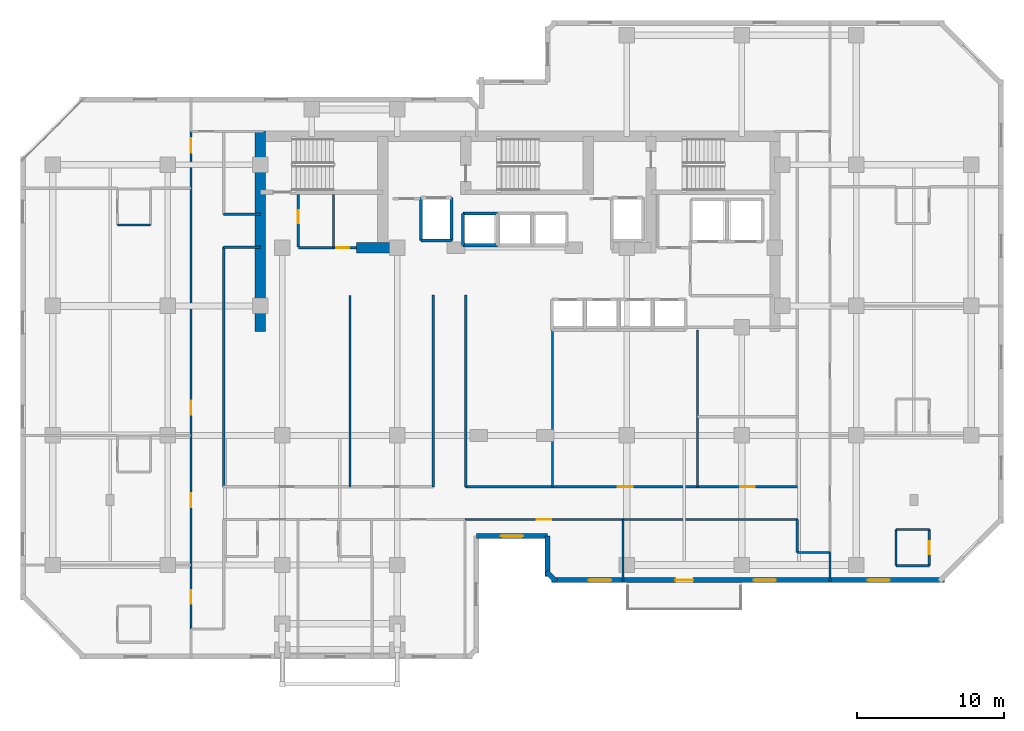
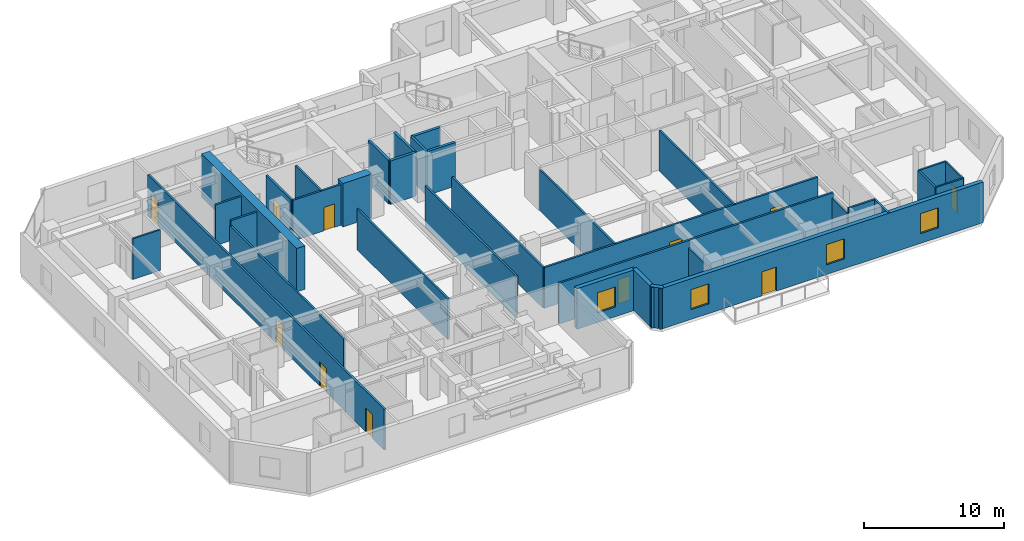
# One storey, part 6 of 11: 35 walls, 11 doors, 4 windows, 15 openings.
"""IFC4 building model written with IfcOpenShell, lengths in metres."""

from ifc_helpers import new_model, si_unit, direction, frame, frame_2d, origin, place, context, subcontext, project, spatial, rectangle, extrude, material, layer, layer_set, type_object, element, fill, save


model = new_model("IFC4")

# Units and contexts
model_context = context("Model", 3, precision=1e-05, world=origin(), true_north=direction((0.0, 1.0)))
body_context = subcontext(model_context, "Body", "Model", "MODEL_VIEW")
ifc_project = project(units=[si_unit("LENGTHUNIT", "METRE"), si_unit("AREAUNIT", "SQUARE_METRE"), si_unit("VOLUMEUNIT", "CUBIC_METRE"), si_unit("PLANEANGLEUNIT", "RADIAN"), si_unit("MASSUNIT", "GRAM", prefix="KILO")], contexts=[model_context])

# Site, building, storey
site_placement = place(None, origin())
site = spatial("IfcSite", under=ifc_project, at=site_placement, CompositionType="ELEMENT")
building_placement = place(site_placement, origin())
building = spatial("IfcBuilding", under=site, at=building_placement, Name="Kestravale Grand Hotel", CompositionType="ELEMENT")
storey_placement = place(building_placement, frame((0.0, 0.0, 161.199951171875)))
storey = spatial("IfcBuildingStorey", under=building, at=storey_placement, Name="L40", CompositionType="ELEMENT", Elevation=161.199951171875)

# Walls
ifc_material_1 = material(Name="Concrete f'c 60 MPa", Category="concrete")
ifc_layer_1 = layer(ifc_material_1, 0.699951171875)
ifc_layer_set_1 = layer_set([ifc_layer_1], Name="EW-CORE-700")
wall_type_1 = type_object("IfcWallType", Name="EW-CORE-700", PredefinedType="SHEAR", material=ifc_layer_set_1)
wall_1_placement = place(storey_placement, frame((21.89990234375, 27.050048828125, 0.0), z_axis=(0.0, 0.0, 1.0), x_axis=(0.0, 1.0, 0.0)))
element("IfcWall", 1, at=wall_1_placement, inside=storey, type_object=wall_type_1, Name="L40 core shear wall W1", PredefinedType="SHEAR", context=body_context, shape_type="SweptSolid", body=[
    extrude(rectangle(XDim=13.619873046875, YDim=0.699951171875, at=frame_2d((6.81005859375, 0.0))), origin(), (0.0, 0.0, 1.0), 3.800048828125),
])
wall_2_placement = place(storey_placement, frame((28.449951171875, 32.75, 0.0), z_axis=(0.0, 0.0, 1.0), x_axis=(1.0, 0.0, 0.0)))
element("IfcWall", 2, at=wall_2_placement, inside=storey, type_object=wall_type_1, Name="L40 core shear wall S1", PredefinedType="SHEAR", context=body_context, shape_type="SweptSolid", body=[
    extrude(rectangle(XDim=2.400146484375, YDim=0.699951171875, at=frame_2d((1.2001953125, 0.0))), origin(), (0.0, 0.0, 1.0), 3.800048828125),
])

# Wall, opening, window
ifc_material_2 = material(Name="Precast concrete f'c 45 MPa", Category="concrete")
ifc_layer_2 = layer(ifc_material_2, 0.340087890625)
ifc_layer_set_2 = layer_set([ifc_layer_2], Name="EW-PREC-340")
wall_type_2 = type_object("IfcWallType", Name="EW-PREC-340", PredefinedType="SOLIDWALL", material=ifc_layer_set_2)
wall_3_placement = place(storey_placement, frame((36.580078125, 13.169921875, 0.0), z_axis=(0.0, 0.0, 1.0), x_axis=(1.0, 0.0, 0.0)))
wall_3 = element("IfcWall", 3, at=wall_3_placement, inside=storey, type_object=wall_type_2, Name="L40 fluted precast facade wall 4", PredefinedType="SOLIDWALL", context=body_context, shape_type="SweptSolid", body=[
    extrude(rectangle(XDim=4.83984375, YDim=0.340087890625, at=frame_2d((2.419921875, 0.0))), origin(), (0.0, 0.0, 1.0), 3.550048828125),
])
opening_1_placement = place(wall_3_placement, frame((1.669921875, 0.0, 0.85009765625)))
opening_1 = element("IfcOpeningElement", 4, at=opening_1_placement, cuts=wall_3, Name="Opening W-GUEST-1500", PredefinedType="OPENING", context=body_context, shape_type="SweptSolid", body=[
    extrude(rectangle(XDim=1.5, YDim=1.75, at=frame_2d((0.75, 0.875))), frame((0.0, 0.179931640625, 0.0), z_axis=(0.0, -1.0, 0.0), x_axis=(1.0, 0.0, 0.0)), (0.0, 0.0, 1.0), 0.360107421875),
])
ifc_material_3 = material(Name="Insulated low-E double glazing in aluminium frame", Category="aluminium")
window_type = type_object("IfcWindowType", Name="W-GUEST-1500", PartitioningType="SINGLE_PANEL", PredefinedType="WINDOW", material=ifc_material_3)
window_1_placement = place(opening_1_placement, origin())
window_1 = element("IfcWindow", 5, at=window_1_placement, inside=storey, type_object=window_type, Name="L40 exterior window 4.1", OverallHeight=1.75, OverallWidth=1.5, PartitioningType="SINGLE_PANEL", PredefinedType="WINDOW", context=body_context, shape_type="SweptSolid", body=[
    extrude(rectangle(XDim=1.5, YDim=1.75, at=frame_2d((0.75, 0.875))), frame((0.0, 0.030029296875, 0.0), z_axis=(0.0, -1.0, 0.0), x_axis=(1.0, 0.0, 0.0)), (0.0, 0.0, 1.0), 0.06005859375),
])
fill(opening_1, window_1)

# Walls
wall_4_placement = place(storey_placement, frame((41.419921875, 13.169921875, 0.0), z_axis=(0.0, 0.0, 1.0), x_axis=(0.0, -1.0, 0.0)))
element("IfcWall", 6, at=wall_4_placement, inside=storey, type_object=wall_type_2, Name="L40 fluted precast facade wall 5", PredefinedType="SOLIDWALL", context=body_context, shape_type="SweptSolid", body=[
    extrude(rectangle(XDim=2.739990234375, YDim=0.340087890625, at=frame_2d((1.3701171875, 0.0))), origin(), (0.0, 0.0, 1.0), 3.550048828125),
])
wall_5_placement = place(storey_placement, frame((41.341796875, 10.74853515625, 0.0), z_axis=(0.0, 0.0, 1.0), x_axis=(0.707106781187, -0.707106781187, 0.0)))
element("IfcWall", 7, at=wall_5_placement, inside=storey, type_object=wall_type_2, Name="L40 fluted precast facade wall 6", PredefinedType="SOLIDWALL", context=body_context, shape_type="SweptSolid", body=[
    extrude(rectangle(XDim=0.9287109375, YDim=0.340087890625, at=frame_2d((0.46435546875, 0.0))), origin(), (0.0, 0.0, 1.0), 3.550048828125),
])

# Wall, openings, door, windows
wall_6_placement = place(storey_placement, frame((41.679931640625, 10.169921875, 0.0), z_axis=(0.0, 0.0, 1.0), x_axis=(1.0, 0.0, 0.0)))
wall_6 = element("IfcWall", 8, at=wall_6_placement, inside=storey, type_object=wall_type_2, Name="L40 fluted precast facade wall 7", PredefinedType="SOLIDWALL", context=body_context, shape_type="SweptSolid", body=[
    extrude(rectangle(XDim=26.690185546875, YDim=0.340087890625, at=frame_2d((13.34521484375, 0.0))), origin(), (0.0, 0.0, 1.0), 3.550048828125),
])
opening_2_placement = place(wall_6_placement, frame((2.54833984375, 0.0, 0.85009765625)))
opening_2 = element("IfcOpeningElement", 9, at=opening_2_placement, cuts=wall_6, Name="Opening W-GUEST-1500", PredefinedType="OPENING", context=body_context, shape_type="SweptSolid", body=[
    extrude(rectangle(XDim=1.5, YDim=1.75, at=frame_2d((0.75, 0.875))), frame((0.0, 0.179931640625, 0.0), z_axis=(0.0, -1.0, 0.0), x_axis=(1.0, 0.0, 0.0)), (0.0, 0.0, 1.0), 0.360107421875),
])
opening_3_placement = place(wall_6_placement, frame((13.7451171875, 0.0, 0.85009765625)))
opening_3 = element("IfcOpeningElement", 10, at=opening_3_placement, cuts=wall_6, Name="Opening W-GUEST-1500", PredefinedType="OPENING", context=body_context, shape_type="SweptSolid", body=[
    extrude(rectangle(XDim=1.5, YDim=1.75, at=frame_2d((0.75, 0.875))), frame((0.0, 0.179931640625, 0.0), z_axis=(0.0, -1.0, 0.0), x_axis=(1.0, 0.0, 0.0)), (0.0, 0.0, 1.0), 0.360107421875),
])
opening_4_placement = place(wall_6_placement, frame((21.49169921875, 0.0, 0.85009765625)))
opening_4 = element("IfcOpeningElement", 11, at=opening_4_placement, cuts=wall_6, Name="Opening W-GUEST-1500", PredefinedType="OPENING", context=body_context, shape_type="SweptSolid", body=[
    extrude(rectangle(XDim=1.5, YDim=1.75, at=frame_2d((0.75, 0.875))), frame((0.0, 0.179931640625, 0.0), z_axis=(0.0, -1.0, 0.0), x_axis=(1.0, 0.0, 0.0)), (0.0, 0.0, 1.0), 0.360107421875),
])
opening_5_placement = place(wall_6_placement, frame((8.419921875, 0.0, 0.0)))
opening_5 = element("IfcOpeningElement", 12, at=opening_5_placement, cuts=wall_6, Name="Opening D-TERR-1200", PredefinedType="OPENING", context=body_context, shape_type="SweptSolid", body=[
    extrude(rectangle(XDim=1.199951171875, YDim=2.10009765625, at=frame_2d((0.60009765625, 1.050048828125))), frame((0.0, 0.179931640625, 0.0), z_axis=(0.0, -1.0, 0.0), x_axis=(1.0, 0.0, 0.0)), (0.0, 0.0, 1.0), 0.360107421875),
])
ifc_material_4 = material(Name="Insulated glazed champagne-bronze aluminium door", Category="aluminium")
door_type_1 = type_object("IfcDoorType", Name="D-TERR-1200", OperationType="NOTDEFINED", PredefinedType="DOOR", material=ifc_material_4)
door_1_placement = place(opening_5_placement, origin())
door_1 = element("IfcDoor", 13, at=door_1_placement, inside=storey, type_object=door_type_1, Name="L40 terrace access door", OperationType="SINGLE_SWING_LEFT", OverallHeight=2.10009765625, OverallWidth=1.199951171875, PredefinedType="DOOR", context=body_context, shape_type="SweptSolid", body=[
    extrude(rectangle(XDim=1.199951171875, YDim=2.10009765625, at=frame_2d((0.60009765625, 1.050048828125))), frame((0.0, 0.02490234375, 0.0), z_axis=(0.0, -1.0, 0.0), x_axis=(1.0, 0.0, 0.0)), (0.0, 0.0, 1.0), 0.050048828125),
])
fill(opening_5, door_1)
window_2_placement = place(opening_2_placement, origin())
window_2 = element("IfcWindow", 14, at=window_2_placement, inside=storey, type_object=window_type, Name="L40 exterior window 7.1", OverallHeight=1.75, OverallWidth=1.5, PartitioningType="SINGLE_PANEL", PredefinedType="WINDOW", context=body_context, shape_type="SweptSolid", body=[
    extrude(rectangle(XDim=1.5, YDim=1.75, at=frame_2d((0.75, 0.875))), frame((0.0, 0.030029296875, 0.0), z_axis=(0.0, -1.0, 0.0), x_axis=(1.0, 0.0, 0.0)), (0.0, 0.0, 1.0), 0.06005859375),
])
fill(opening_2, window_2)
window_3_placement = place(opening_3_placement, origin())
window_3 = element("IfcWindow", 15, at=window_3_placement, inside=storey, type_object=window_type, Name="L40 exterior window 7.2", OverallHeight=1.75, OverallWidth=1.5, PartitioningType="SINGLE_PANEL", PredefinedType="WINDOW", context=body_context, shape_type="SweptSolid", body=[
    extrude(rectangle(XDim=1.5, YDim=1.75, at=frame_2d((0.75, 0.875))), frame((0.0, 0.030029296875, 0.0), z_axis=(0.0, -1.0, 0.0), x_axis=(1.0, 0.0, 0.0)), (0.0, 0.0, 1.0), 0.06005859375),
])
fill(opening_3, window_3)
window_4_placement = place(opening_4_placement, origin())
window_4 = element("IfcWindow", 16, at=window_4_placement, inside=storey, type_object=window_type, Name="L40 exterior window 7.3", OverallHeight=1.75, OverallWidth=1.5, PartitioningType="SINGLE_PANEL", PredefinedType="WINDOW", context=body_context, shape_type="SweptSolid", body=[
    extrude(rectangle(XDim=1.5, YDim=1.75, at=frame_2d((0.75, 0.875))), frame((0.0, 0.030029296875, 0.0), z_axis=(0.0, -1.0, 0.0), x_axis=(1.0, 0.0, 0.0)), (0.0, 0.0, 1.0), 0.06005859375),
])
fill(opening_4, window_4)

# Wall, opening, door
ifc_material_5 = material(Name="Acoustic fire-rated gypsum board partition", Category="other")
ifc_layer_3 = layer(ifc_material_5, 0.159912109375)
ifc_layer_set_3 = layer_set([ifc_layer_3], Name="IW-CORR-160")
wall_type_3 = type_object("IfcWallType", Name="IW-CORR-160", PredefinedType="PARTITIONING", material=ifc_layer_set_3)
wall_7_placement = place(storey_placement, frame((24.47998046875, 32.800048828125, 0.0), z_axis=(0.0, 0.0, 1.0), x_axis=(0.0, 1.0, 0.0)))
wall_7 = element("IfcWall", 17, at=wall_7_placement, inside=storey, type_object=wall_type_3, Name="L40 west core vestibule wall", PredefinedType="PARTITIONING", context=body_context, shape_type="SweptSolid", body=[
    extrude(rectangle(XDim=3.570068359375, YDim=0.159912109375, at=frame_2d((1.78515625, 0.0))), origin(), (0.0, 0.0, 1.0), 3.550048828125),
])
opening_6_placement = place(wall_7_placement, frame((1.603515625, 0.0, 0.0)))
opening_6 = element("IfcOpeningElement", 18, at=opening_6_placement, cuts=wall_7, Name="Opening D-SH-900", PredefinedType="OPENING", context=body_context, shape_type="SweptSolid", body=[
    extrude(rectangle(XDim=0.89990234375, YDim=2.10009765625, at=frame_2d((0.449951171875, 1.050048828125))), frame((0.0, 0.08984375, 0.0), z_axis=(0.0, -1.0, 0.0), x_axis=(1.0, 0.0, 0.0)), (0.0, 0.0, 1.0), 0.179931640625),
])
ifc_material_6 = material(Name="Galvanised 90-minute shaft and service fire door", Category="steel")
door_type_2 = type_object("IfcDoorType", Name="D-SH-900", OperationType="NOTDEFINED", PredefinedType="DOOR", material=ifc_material_6)
door_2_placement = place(opening_6_placement, origin())
door_2 = element("IfcDoor", 19, at=door_2_placement, inside=storey, type_object=door_type_2, Name="D-L40-HK", OperationType="SINGLE_SWING_RIGHT", OverallHeight=2.10009765625, OverallWidth=0.89990234375, PredefinedType="DOOR", context=body_context, shape_type="SweptSolid", body=[
    extrude(rectangle(XDim=0.89990234375, YDim=2.10009765625, at=frame_2d((0.449951171875, 1.050048828125))), frame((0.0, 0.02490234375, 0.0), z_axis=(0.0, -1.0, 0.0), x_axis=(1.0, 0.0, 0.0)), (0.0, 0.0, 1.0), 0.050048828125),
])
fill(opening_6, door_2)

wall_8_placement = place(storey_placement, frame((24.47998046875, 32.75, 0.0), z_axis=(0.0, 0.0, 1.0), x_axis=(1.0, 0.0, 0.0)))
wall_8 = element("IfcWall", 20, at=wall_8_placement, inside=storey, type_object=wall_type_3, Name="W-L40-CWS", PredefinedType="PARTITIONING", context=body_context, shape_type="SweptSolid", body=[
    extrude(rectangle(XDim=3.969970703125, YDim=0.159912109375, at=frame_2d((1.98486328125, 0.0))), origin(), (0.0, 0.0, 1.0), 3.550048828125),
])
opening_7_placement = place(wall_8_placement, frame((2.574951171875, 0.0, 0.0)))
opening_7 = element("IfcOpeningElement", 21, at=opening_7_placement, cuts=wall_8, Name="Opening D-BATH-880", PredefinedType="OPENING", context=body_context, shape_type="SweptSolid", body=[
    extrude(rectangle(XDim=0.8798828125, YDim=2.050048828125, at=frame_2d((0.43994140625, 1.02490234375))), frame((0.0, 0.08984375, 0.0), z_axis=(0.0, -1.0, 0.0), x_axis=(1.0, 0.0, 0.0)), (0.0, 0.0, 1.0), 0.179931640625),
])
ifc_material_7 = material(Name="Moisture-sealed walnut en-suite bathroom door", Category="wood")
door_type_3 = type_object("IfcDoorType", Name="D-BATH-880", OperationType="NOTDEFINED", PredefinedType="DOOR", material=ifc_material_7)
door_3_placement = place(opening_7_placement, origin())
door_3 = element("IfcDoor", 22, at=door_3_placement, inside=storey, type_object=door_type_3, Name="D-L40-SWC", OperationType="SINGLE_SWING_RIGHT", OverallHeight=2.050048828125, OverallWidth=0.8798828125, PredefinedType="DOOR", context=body_context, shape_type="SweptSolid", body=[
    extrude(rectangle(XDim=0.8798828125, YDim=2.050048828125, at=frame_2d((0.43994140625, 1.02490234375))), frame((0.0, 0.02490234375, 0.0), z_axis=(0.0, -1.0, 0.0), x_axis=(1.0, 0.0, 0.0)), (0.0, 0.0, 1.0), 0.050048828125),
])
fill(opening_7, door_3)

# Wall, openings, doors
wall_9_placement = place(storey_placement, frame((35.85009765625, 16.510009765625, 0.0), z_axis=(0.0, 0.0, 1.0), x_axis=(1.0, 0.0, 0.0)))
wall_9 = element("IfcWall", 23, at=wall_9_placement, inside=storey, type_object=wall_type_3, Name="W-L40-CE-N", PredefinedType="PARTITIONING", context=body_context, shape_type="SweptSolid", body=[
    extrude(rectangle(XDim=22.599853515625, YDim=0.159912109375, at=frame_2d((11.2998046875, 0.0))), origin(), (0.0, 0.0, 1.0), 3.550048828125),
])
opening_8_placement = place(wall_9_placement, frame((10.35009765625, 0.0, 0.0)))
opening_8 = element("IfcOpeningElement", 24, at=opening_8_placement, cuts=wall_9, Name="Opening D-GUEST-1000", PredefinedType="OPENING", context=body_context, shape_type="SweptSolid", body=[
    extrude(rectangle(XDim=1.0, YDim=2.14990234375, at=frame_2d((0.5, 1.074951171875))), frame((0.0, 0.08984375, 0.0), z_axis=(0.0, -1.0, 0.0), x_axis=(1.0, 0.0, 0.0)), (0.0, 0.0, 1.0), 0.179931640625),
])
opening_9_placement = place(wall_9_placement, frame((18.64990234375, 0.0, 0.0)))
opening_9 = element("IfcOpeningElement", 25, at=opening_9_placement, cuts=wall_9, Name="Opening D-GUEST-1000", PredefinedType="OPENING", context=body_context, shape_type="SweptSolid", body=[
    extrude(rectangle(XDim=1.0, YDim=2.14990234375, at=frame_2d((0.5, 1.074951171875))), frame((0.0, 0.08984375, 0.0), z_axis=(0.0, -1.0, 0.0), x_axis=(1.0, 0.0, 0.0)), (0.0, 0.0, 1.0), 0.179931640625),
])
ifc_material_8 = material(Name="Accessible walnut veneer hotel entrance fire door", Category="wood")
door_type_4 = type_object("IfcDoorType", Name="D-GUEST-1000", OperationType="NOTDEFINED", PredefinedType="DOOR", material=ifc_material_8)
door_4_placement = place(opening_8_placement, origin())
door_4 = element("IfcDoor", 26, at=door_4_placement, inside=storey, type_object=door_type_4, Name="D-L40-RECL-E1", OperationType="SINGLE_SWING_LEFT", OverallHeight=2.14990234375, OverallWidth=1.0, PredefinedType="DOOR", context=body_context, shape_type="SweptSolid", body=[
    extrude(rectangle(XDim=1.0, YDim=2.14990234375, at=frame_2d((0.5, 1.074951171875))), frame((0.0, 0.02490234375, 0.0), z_axis=(0.0, -1.0, 0.0), x_axis=(1.0, 0.0, 0.0)), (0.0, 0.0, 1.0), 0.050048828125),
])
fill(opening_8, door_4)
door_5_placement = place(opening_9_placement, origin())
door_5 = element("IfcDoor", 27, at=door_5_placement, inside=storey, type_object=door_type_4, Name="D-L40-RECL-E2", OperationType="SINGLE_SWING_RIGHT", OverallHeight=2.14990234375, OverallWidth=1.0, PredefinedType="DOOR", context=body_context, shape_type="SweptSolid", body=[
    extrude(rectangle(XDim=1.0, YDim=2.14990234375, at=frame_2d((0.5, 1.074951171875))), frame((0.0, 0.02490234375, 0.0), z_axis=(0.0, -1.0, 0.0), x_axis=(1.0, 0.0, 0.0)), (0.0, 0.0, 1.0), 0.050048828125),
])
fill(opening_9, door_5)

# Walls
for number, where, z_axis, x_axis, name in (
    (28, (33.64990234375, 16.510009765625, 0.0), (0.0, 0.0, 1.0), (0.0, 1.0, 0.0), "W-L40-TRUNK-W"),
    (29, (35.85009765625, 16.510009765625, 0.0), (0.0, 0.0, 1.0), (0.0, 1.0, 0.0), "W-L40-TRUNK-E"),
):
    element("IfcWall", number, at=place(storey_placement, frame(where, z_axis=z_axis, x_axis=x_axis)), inside=storey, type_object=wall_type_3, Name=name, PredefinedType="PARTITIONING", context=body_context, shape_type="SweptSolid", body=[
        extrude(rectangle(XDim=13.0400390625, YDim=0.159912109375, at=frame_2d((6.52001953125, 0.0))), origin(), (0.0, 0.0, 1.0), 3.550048828125),
    ])

# Wall, opening, door
wall_10_placement = place(storey_placement, frame((35.800048828125, 14.2900390625, 0.0), z_axis=(0.0, 0.0, 1.0), x_axis=(1.0, 0.0, 0.0)))
wall_10 = element("IfcWall", 30, at=wall_10_placement, inside=storey, type_object=wall_type_3, Name="W-L40-CE-S", PredefinedType="PARTITIONING", context=body_context, shape_type="SweptSolid", body=[
    extrude(rectangle(XDim=22.64990234375, YDim=0.159912109375, at=frame_2d((11.324951171875, 0.0))), origin(), (0.0, 0.0, 1.0), 3.550048828125),
])
opening_10_placement = place(wall_10_placement, frame((4.87255859375, 0.0, 0.0)))
opening_10 = element("IfcOpeningElement", 31, at=opening_10_placement, cuts=wall_10, Name="Opening D-GUEST-1000", PredefinedType="OPENING", context=body_context, shape_type="SweptSolid", body=[
    extrude(rectangle(XDim=1.0, YDim=2.14990234375, at=frame_2d((0.5, 1.074951171875))), frame((0.0, 0.08984375, 0.0), z_axis=(0.0, -1.0, 0.0), x_axis=(1.0, 0.0, 0.0)), (0.0, 0.0, 1.0), 0.179931640625),
])
door_6_placement = place(opening_10_placement, origin())
door_6 = element("IfcDoor", 32, at=door_6_placement, inside=storey, type_object=door_type_4, Name="D-L40-AME", OperationType="SINGLE_SWING_RIGHT", OverallHeight=2.14990234375, OverallWidth=1.0, PredefinedType="DOOR", context=body_context, shape_type="SweptSolid", body=[
    extrude(rectangle(XDim=1.0, YDim=2.14990234375, at=frame_2d((0.5, 1.074951171875))), frame((0.0, 0.02490234375, 0.0), z_axis=(0.0, -1.0, 0.0), x_axis=(1.0, 0.0, 0.0)), (0.0, 0.0, 1.0), 0.050048828125),
])
fill(opening_10, door_6)

# Wall, openings, doors
wall_11_placement = place(storey_placement, frame((17.18994140625, 6.85009765625, 0.0), z_axis=(0.0, 0.0, 1.0), x_axis=(0.0, 1.0, 0.0)))
wall_11 = element("IfcWall", 33, at=wall_11_placement, inside=storey, type_object=wall_type_3, Name="W-L40-SW-W", PredefinedType="PARTITIONING", context=body_context, shape_type="SweptSolid", body=[
    extrude(rectangle(XDim=33.7998046875, YDim=0.159912109375, at=frame_2d((16.89990234375, 0.0))), origin(), (0.0, 0.0, 1.0), 3.550048828125),
])
opening_11_placement = place(wall_11_placement, frame((1.699951171875, 0.0, 0.0)))
opening_11 = element("IfcOpeningElement", 34, at=opening_11_placement, cuts=wall_11, Name="Opening D-GUEST-950", PredefinedType="OPENING", context=body_context, shape_type="SweptSolid", body=[
    extrude(rectangle(XDim=0.949951171875, YDim=2.10009765625, at=frame_2d((0.47509765625, 1.050048828125))), frame((0.0, 0.08984375, 0.0), z_axis=(0.0, -1.0, 0.0), x_axis=(1.0, 0.0, 0.0)), (0.0, 0.0, 1.0), 0.179931640625),
])
opening_12_placement = place(wall_11_placement, frame((8.27490234375, 0.0, 0.0)))
opening_12 = element("IfcOpeningElement", 35, at=opening_12_placement, cuts=wall_11, Name="Opening D-GUEST-950", PredefinedType="OPENING", context=body_context, shape_type="SweptSolid", body=[
    extrude(rectangle(XDim=0.949951171875, YDim=2.10009765625, at=frame_2d((0.47509765625, 1.050048828125))), frame((0.0, 0.08984375, 0.0), z_axis=(0.0, -1.0, 0.0), x_axis=(1.0, 0.0, 0.0)), (0.0, 0.0, 1.0), 0.179931640625),
])
opening_13_placement = place(wall_11_placement, frame((14.543212890625, 0.0, 0.0)))
opening_13 = element("IfcOpeningElement", 36, at=opening_13_placement, cuts=wall_11, Name="Opening D-GUEST-950", PredefinedType="OPENING", context=body_context, shape_type="SweptSolid", body=[
    extrude(rectangle(XDim=0.949951171875, YDim=2.10009765625, at=frame_2d((0.47509765625, 1.050048828125))), frame((0.0, 0.08984375, 0.0), z_axis=(0.0, -1.0, 0.0), x_axis=(1.0, 0.0, 0.0)), (0.0, 0.0, 1.0), 0.179931640625),
])
opening_14_placement = place(wall_11_placement, frame((32.360107421875, 0.0, 0.0)))
opening_14 = element("IfcOpeningElement", 37, at=opening_14_placement, cuts=wall_11, Name="Opening D-GUEST-1000", PredefinedType="OPENING", context=body_context, shape_type="SweptSolid", body=[
    extrude(rectangle(XDim=1.0, YDim=2.14990234375, at=frame_2d((0.5, 1.074951171875))), frame((0.0, 0.08984375, 0.0), z_axis=(0.0, -1.0, 0.0), x_axis=(1.0, 0.0, 0.0)), (0.0, 0.0, 1.0), 0.179931640625),
])
door_7_placement = place(opening_14_placement, origin())
door_7 = element("IfcDoor", 38, at=door_7_placement, inside=storey, type_object=door_type_4, Name="D-L40-AMWW", OperationType="SINGLE_SWING_LEFT", OverallHeight=2.14990234375, OverallWidth=1.0, PredefinedType="DOOR", context=body_context, shape_type="SweptSolid", body=[
    extrude(rectangle(XDim=1.0, YDim=2.14990234375, at=frame_2d((0.5, 1.074951171875))), frame((0.0, 0.02490234375, 0.0), z_axis=(0.0, -1.0, 0.0), x_axis=(1.0, 0.0, 0.0)), (0.0, 0.0, 1.0), 0.050048828125),
])
fill(opening_14, door_7)
ifc_material_9 = material(Name="Walnut veneer hotel guestroom entrance fire door", Category="wood")
door_type_5 = type_object("IfcDoorType", Name="D-GUEST-950", OperationType="NOTDEFINED", PredefinedType="DOOR", material=ifc_material_9)
door_8_placement = place(opening_11_placement, origin())
door_8 = element("IfcDoor", 39, at=door_8_placement, inside=storey, type_object=door_type_5, Name="D-L40-U03-ENT", OperationType="SINGLE_SWING_RIGHT", OverallHeight=2.10009765625, OverallWidth=0.949951171875, PredefinedType="DOOR", context=body_context, shape_type="SweptSolid", body=[
    extrude(rectangle(XDim=0.949951171875, YDim=2.10009765625, at=frame_2d((0.47509765625, 1.050048828125))), frame((0.0, 0.02490234375, 0.0), z_axis=(0.0, -1.0, 0.0), x_axis=(1.0, 0.0, 0.0)), (0.0, 0.0, 1.0), 0.050048828125),
])
fill(opening_11, door_8)
door_9_placement = place(opening_12_placement, origin())
door_9 = element("IfcDoor", 40, at=door_9_placement, inside=storey, type_object=door_type_5, Name="D-L40-U04-ENT", OperationType="SINGLE_SWING_RIGHT", OverallHeight=2.10009765625, OverallWidth=0.949951171875, PredefinedType="DOOR", context=body_context, shape_type="SweptSolid", body=[
    extrude(rectangle(XDim=0.949951171875, YDim=2.10009765625, at=frame_2d((0.47509765625, 1.050048828125))), frame((0.0, 0.02490234375, 0.0), z_axis=(0.0, -1.0, 0.0), x_axis=(1.0, 0.0, 0.0)), (0.0, 0.0, 1.0), 0.050048828125),
])
fill(opening_12, door_9)
door_10_placement = place(opening_13_placement, origin())
door_10 = element("IfcDoor", 41, at=door_10_placement, inside=storey, type_object=door_type_5, Name="D-L40-U05-ENT", OperationType="SINGLE_SWING_RIGHT", OverallHeight=2.10009765625, OverallWidth=0.949951171875, PredefinedType="DOOR", context=body_context, shape_type="SweptSolid", body=[
    extrude(rectangle(XDim=0.949951171875, YDim=2.10009765625, at=frame_2d((0.47509765625, 1.050048828125))), frame((0.0, 0.02490234375, 0.0), z_axis=(0.0, -1.0, 0.0), x_axis=(1.0, 0.0, 0.0)), (0.0, 0.0, 1.0), 0.050048828125),
])
fill(opening_13, door_10)

# Walls
for number, where, z_axis, x_axis, name in (
    (42, (19.409912109375, 35.02001953125, 0.0), (0.0, 0.0, 1.0), (1.0, 0.0, 0.0), "W-L40-SW-CN"),
    (43, (19.409912109375, 32.780029296875, 0.0), (0.0, 0.0, 1.0), (1.0, 0.0, 0.0), "W-L40-SW-CS"),
):
    element("IfcWall", number, at=place(storey_placement, frame(where, z_axis=z_axis, x_axis=x_axis)), inside=storey, type_object=wall_type_3, Name=name, PredefinedType="PARTITIONING", context=body_context, shape_type="SweptSolid", body=[
        extrude(rectangle(XDim=2.489990234375, YDim=0.159912109375, at=frame_2d((1.2451171875, 0.0))), origin(), (0.0, 0.0, 1.0), 3.550048828125),
    ])
wall_12_placement = place(storey_placement, frame((58.389892578125, 12.050048828125, 0.0), z_axis=(0.0, 0.0, 1.0), x_axis=(0.0, 1.0, 0.0)))
element("IfcWall", 44, at=wall_12_placement, inside=storey, type_object=wall_type_3, Name="W-L40-SE-W", PredefinedType="PARTITIONING", context=body_context, shape_type="SweptSolid", body=[
    extrude(rectangle(XDim=2.239990234375, YDim=0.159912109375, at=frame_2d((1.1201171875, 0.0))), origin(), (0.0, 0.0, 1.0), 3.093017578125),
])
ifc_material_10 = material(Name="Moisture-resistant tile-backer plumbing chase wall", Category="other")
ifc_layer_4 = layer(ifc_material_10, 0.139892578125)
ifc_layer_set_4 = layer_set([ifc_layer_4], Name="IW-PLB-140")
wall_type_4 = type_object("IfcWallType", Name="IW-PLB-140", PredefinedType="PLUMBINGWALL", material=ifc_layer_set_4)
wall_13_placement = place(storey_placement, frame((12.199951171875, 34.31005859375, 0.0), z_axis=(0.0, 0.0, 1.0), x_axis=(1.0, 0.0, 0.0)))
element("IfcWall", 45, at=wall_13_placement, inside=storey, type_object=wall_type_4, Name="W-L40-U05-BS", PredefinedType="PLUMBINGWALL", context=body_context, shape_type="SweptSolid", body=[
    extrude(rectangle(XDim=2.25, YDim=0.139892578125, at=frame_2d((1.125, 0.0))), origin(), (0.0, 0.0, 1.0), 3.550048828125),
])
wall_14_placement = place(storey_placement, frame((65.10009765625, 11.14990234375, 0.0), z_axis=(0.0, 0.0, 1.0), x_axis=(0.0, 1.0, 0.0)))
element("IfcWall", 46, at=wall_14_placement, inside=storey, type_object=wall_type_4, Name="W-L40-U06-BW", PredefinedType="PLUMBINGWALL", context=body_context, shape_type="SweptSolid", body=[
    extrude(rectangle(XDim=2.4501953125, YDim=0.139892578125, at=frame_2d((1.22509765625, 0.0))), origin(), (0.0, 0.0, 1.0), 3.550048828125),
])

# Wall, opening, door
wall_15_placement = place(storey_placement, frame((67.35009765625, 11.14990234375, 0.0), z_axis=(0.0, 0.0, 1.0), x_axis=(0.0, 1.0, 0.0)))
wall_15 = element("IfcWall", 47, at=wall_15_placement, inside=storey, type_object=wall_type_4, Name="W-L40-U06-BE", PredefinedType="PLUMBINGWALL", context=body_context, shape_type="SweptSolid", body=[
    extrude(rectangle(XDim=2.4501953125, YDim=0.139892578125, at=frame_2d((1.22509765625, 0.0))), origin(), (0.0, 0.0, 1.0), 3.550048828125),
])
opening_15_placement = place(wall_15_placement, frame((0.784912109375, 0.0, 0.0)))
opening_15 = element("IfcOpeningElement", 48, at=opening_15_placement, cuts=wall_15, Name="Opening D-BATH-880", PredefinedType="OPENING", context=body_context, shape_type="SweptSolid", body=[
    extrude(rectangle(XDim=0.8798828125, YDim=2.050048828125, at=frame_2d((0.43994140625, 1.02490234375))), frame((0.0, 0.079833984375, 0.0), z_axis=(0.0, -1.0, 0.0), x_axis=(1.0, 0.0, 0.0)), (0.0, 0.0, 1.0), 0.159912109375),
])
door_11_placement = place(opening_15_placement, origin())
door_11 = element("IfcDoor", 49, at=door_11_placement, inside=storey, type_object=door_type_3, Name="D-L40-U06-BATH", OperationType="SINGLE_SWING_RIGHT", OverallHeight=2.050048828125, OverallWidth=0.8798828125, PredefinedType="DOOR", context=body_context, shape_type="SweptSolid", body=[
    extrude(rectangle(XDim=0.8798828125, YDim=2.050048828125, at=frame_2d((0.43994140625, 1.02490234375))), frame((0.0, 0.02490234375, 0.0), z_axis=(0.0, -1.0, 0.0), x_axis=(1.0, 0.0, 0.0)), (0.0, 0.0, 1.0), 0.050048828125),
])
fill(opening_15, door_11)

# Walls
for number, where, z_axis, x_axis, name in (
    (50, (65.10009765625, 11.14990234375, 0.0), (0.0, 0.0, 1.0), (1.0, 0.0, 0.0), "W-L40-U06-BS"),
    (51, (65.10009765625, 13.60009765625, 0.0), (0.0, 0.0, 1.0), (1.0, 0.0, 0.0), "W-L40-U06-BN"),
):
    element("IfcWall", number, at=place(storey_placement, frame(where, z_axis=z_axis, x_axis=x_axis)), inside=storey, type_object=wall_type_4, Name=name, PredefinedType="PLUMBINGWALL", context=body_context, shape_type="SweptSolid", body=[
        extrude(rectangle(XDim=2.25, YDim=0.139892578125, at=frame_2d((1.125, 0.0))), origin(), (0.0, 0.0, 1.0), 3.550048828125),
    ])
ifc_material_11 = material(Name="Concrete f'c 45 MPa", Category="concrete")
ifc_layer_5 = layer(ifc_material_11, 0.199951171875)
ifc_layer_set_5 = layer_set([ifc_layer_5], Name="IW-SHAFT-200")
wall_type_5 = type_object("IfcWallType", Name="IW-SHAFT-200", PredefinedType="SHEAR", material=ifc_layer_set_5)
wall_16_placement = place(storey_placement, frame((35.679931640625, 32.919921875, 0.0), z_axis=(0.0, 0.0, 1.0), x_axis=(0.0, 1.0, 0.0)))
element("IfcWall", 52, at=wall_16_placement, inside=storey, type_object=wall_type_5, Name="L40 PL-X1 west shaft wall", PredefinedType="SHEAR", context=body_context, shape_type="SweptSolid", body=[
    extrude(rectangle(XDim=2.16015625, YDim=0.199951171875, at=frame_2d((1.080078125, 0.0))), origin(), (0.0, 0.0, 1.0), 3.800048828125),
])
for number, where, z_axis, x_axis, name in (
    (53, (32.804931640625, 33.2451171875, 0.0), (0.0, 0.0, 1.0), (0.0, 1.0, 0.0), "L40 FL-1 west shaft wall"),
    (54, (34.89501953125, 33.2451171875, 0.0), (0.0, 0.0, 1.0), (0.0, 1.0, 0.0), "L40 FL-1 east shaft wall"),
):
    element("IfcWall", number, at=place(storey_placement, frame(where, z_axis=z_axis, x_axis=x_axis)), inside=storey, type_object=wall_type_5, Name=name, PredefinedType="SHEAR", context=body_context, shape_type="SweptSolid", body=[
        extrude(rectangle(XDim=2.909912109375, YDim=0.199951171875, at=frame_2d((1.455078125, 0.0))), origin(), (0.0, 0.0, 1.0), 3.800048828125),
    ])
ifc_material_12 = material(Name="Concrete f'c 45 MPa", Category="concrete")
ifc_layer_6 = layer(ifc_material_12, 0.219970703125)
ifc_layer_set_6 = layer_set([ifc_layer_6], Name="IW-SHAFT-220")
wall_type_6 = type_object("IfcWallType", Name="IW-SHAFT-220", PredefinedType="SHEAR", material=ifc_layer_set_6)
for number, where, z_axis, x_axis, name in (
    (55, (35.679931640625, 35.080078125, 0.0), (0.0, 0.0, 1.0), (1.0, 0.0, 0.0), "L40 PL-X1 north shaft wall"),
    (56, (35.679931640625, 32.919921875, 0.0), (0.0, 0.0, 1.0), (1.0, 0.0, 0.0), "L40 PL-X1 south shaft wall"),
):
    element("IfcWall", number, at=place(storey_placement, frame(where, z_axis=z_axis, x_axis=x_axis)), inside=storey, type_object=wall_type_6, Name=name, PredefinedType="SHEAR", context=body_context, shape_type="SweptSolid", body=[
        extrude(rectangle(XDim=2.320068359375, YDim=0.219970703125, at=frame_2d((1.16015625, 0.0))), origin(), (0.0, 0.0, 1.0), 3.800048828125),
    ])
wall_17_placement = place(storey_placement, frame((32.804931640625, 33.2451171875, 0.0), z_axis=(0.0, 0.0, 1.0), x_axis=(1.0, 0.0, 0.0)))
element("IfcWall", 57, at=wall_17_placement, inside=storey, type_object=wall_type_6, Name="L40 FL-1 south shaft wall", PredefinedType="SHEAR", context=body_context, shape_type="SweptSolid", body=[
    extrude(rectangle(XDim=2.090087890625, YDim=0.219970703125, at=frame_2d((1.044921875, 0.0))), origin(), (0.0, 0.0, 1.0), 3.800048828125),
])
ifc_material_13 = material(Name="Double-stud STC 52 acoustic demising partition", Category="other")
ifc_layer_7 = layer(ifc_material_13, 0.14990234375)
ifc_layer_set_7 = layer_set([ifc_layer_7], Name="IW-UNIT-150")
wall_type_7 = type_object("IfcWallType", Name="IW-UNIT-150", PredefinedType="PARTITIONING", material=ifc_layer_set_7)
wall_18_placement = place(storey_placement, frame((26.8798828125, 32.75, 0.0), z_axis=(0.0, 0.0, 1.0), x_axis=(0.0, 1.0, 0.0)))
element("IfcWall", 58, at=wall_18_placement, inside=storey, type_object=wall_type_7, Name="W-L40-CC3-V", PredefinedType="PARTITIONING", context=body_context, shape_type="SweptSolid", body=[
    extrude(rectangle(XDim=3.6201171875, YDim=0.14990234375, at=frame_2d((1.81005859375, 0.0))), origin(), (0.0, 0.0, 1.0), 3.550048828125),
])
wall_19_placement = place(storey_placement, frame((58.389892578125, 12.050048828125, 0.0), z_axis=(0.0, 0.0, 1.0), x_axis=(1.0, 0.0, 0.0)))
element("IfcWall", 59, at=wall_19_placement, inside=storey, type_object=wall_type_7, Name="W-L40-SE-S", PredefinedType="PARTITIONING", context=body_context, shape_type="SweptSolid", body=[
    extrude(rectangle(XDim=2.22021484375, YDim=0.14990234375, at=frame_2d((1.110107421875, 0.0))), origin(), (0.0, 0.0, 1.0), 3.550048828125),
])
wall_20_placement = place(storey_placement, frame((19.409912109375, 16.510009765625, 0.0), z_axis=(0.0, 0.0, 1.0), x_axis=(0.0, 1.0, 0.0)))
element("IfcWall", 60, at=wall_20_placement, inside=storey, type_object=wall_type_7, Name="W-L40-RCLW-W", PredefinedType="PARTITIONING", context=body_context, shape_type="SweptSolid", body=[
    extrude(rectangle(XDim=16.2900390625, YDim=0.14990234375, at=frame_2d((8.14501953125, 0.0))), origin(), (0.0, 0.0, 1.0), 3.093017578125),
])
wall_21_placement = place(storey_placement, frame((28.0, 16.510009765625, 0.0), z_axis=(0.0, 0.0, 1.0), x_axis=(0.0, 1.0, 0.0)))
element("IfcWall", 61, at=wall_21_placement, inside=storey, type_object=wall_type_7, Name="W-L40-RCLW-M", PredefinedType="PARTITIONING", context=body_context, shape_type="SweptSolid", body=[
    extrude(rectangle(XDim=12.989990234375, YDim=0.14990234375, at=frame_2d((6.4951171875, 0.0))), origin(), (0.0, 0.0, 1.0), 3.550048828125),
])
wall_22_placement = place(storey_placement, frame((41.75, 16.510009765625, 0.0), z_axis=(0.0, 0.0, 1.0), x_axis=(0.0, 1.0, 0.0)))
element("IfcWall", 62, at=wall_22_placement, inside=storey, type_object=wall_type_7, Name="W-L40-RCLE-W", PredefinedType="PARTITIONING", context=body_context, shape_type="SweptSolid", body=[
    extrude(rectangle(XDim=10.659912109375, YDim=0.14990234375, at=frame_2d((5.330078125, 0.0))), origin(), (0.0, 0.0, 1.0), 3.550048828125),
])
wall_23_placement = place(storey_placement, frame((51.60009765625, 16.510009765625, 0.0), z_axis=(0.0, 0.0, 1.0), x_axis=(0.0, 1.0, 0.0)))
element("IfcWall", 63, at=wall_23_placement, inside=storey, type_object=wall_type_7, Name="W-L40-RCLE-M", PredefinedType="PARTITIONING", context=body_context, shape_type="SweptSolid", body=[
    extrude(rectangle(XDim=10.639892578125, YDim=0.14990234375, at=frame_2d((5.31982421875, 0.0))), origin(), (0.0, 0.0, 1.0), 3.550048828125),
])
wall_24_placement = place(storey_placement, frame((46.544921875, 10.02001953125, 0.0), z_axis=(0.0, 0.0, 1.0), x_axis=(0.0, 1.0, 0.0)))
element("IfcWall", 64, at=wall_24_placement, inside=storey, type_object=wall_type_7, Name="W-L40-ES-1", PredefinedType="PARTITIONING", context=body_context, shape_type="SweptSolid", body=[
    extrude(rectangle(XDim=4.27001953125, YDim=0.14990234375, at=frame_2d((2.135009765625, 0.0))), origin(), (0.0, 0.0, 1.0), 2.900146484375),
])
wall_25_placement = place(storey_placement, frame((60.610107421875, 10.02001953125, 0.0), z_axis=(0.0, 0.0, 1.0), x_axis=(0.0, 1.0, 0.0)))
element("IfcWall", 65, at=wall_25_placement, inside=storey, type_object=wall_type_7, Name="W-L40-SE-EXT", PredefinedType="PARTITIONING", context=body_context, shape_type="SweptSolid", body=[
    extrude(rectangle(XDim=2.030029296875, YDim=0.14990234375, at=frame_2d((1.01513671875, 0.0))), origin(), (0.0, 0.0, 1.0), 3.550048828125),
])

save(model, "model.ifc")
